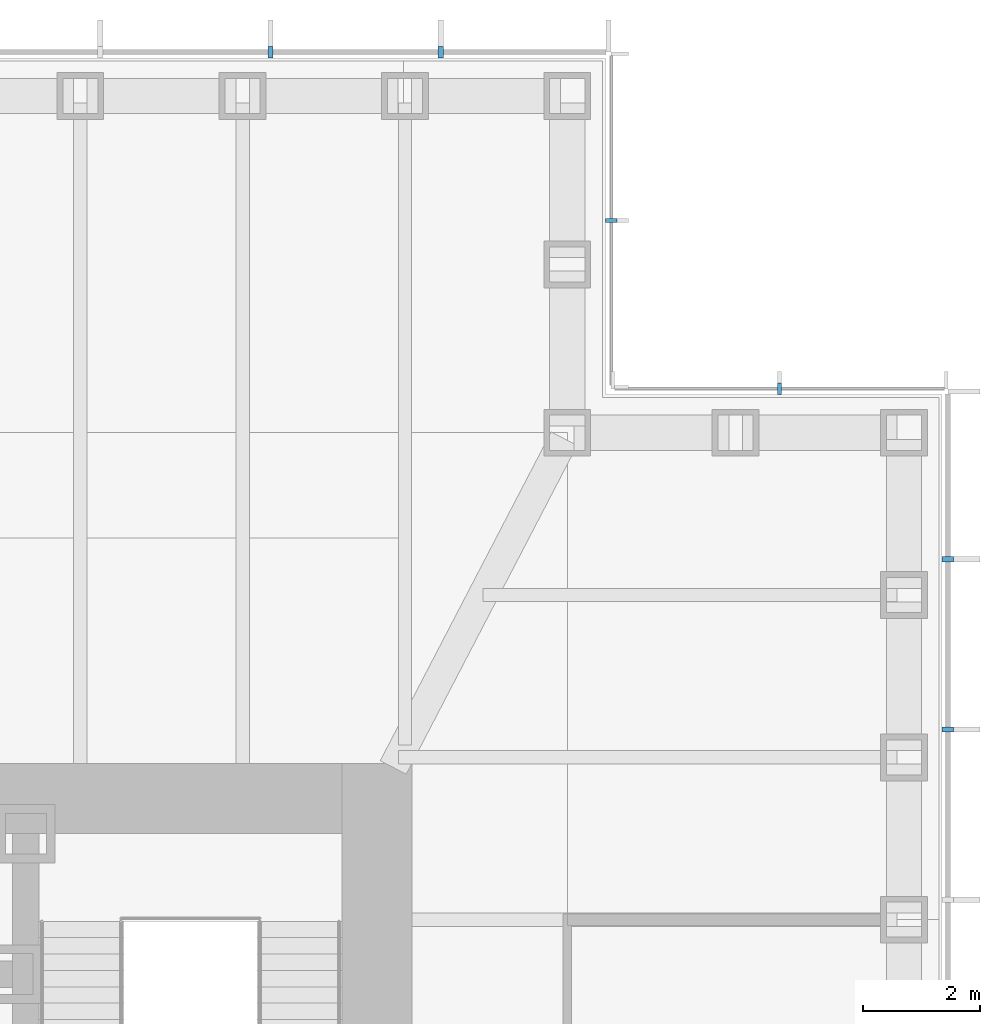
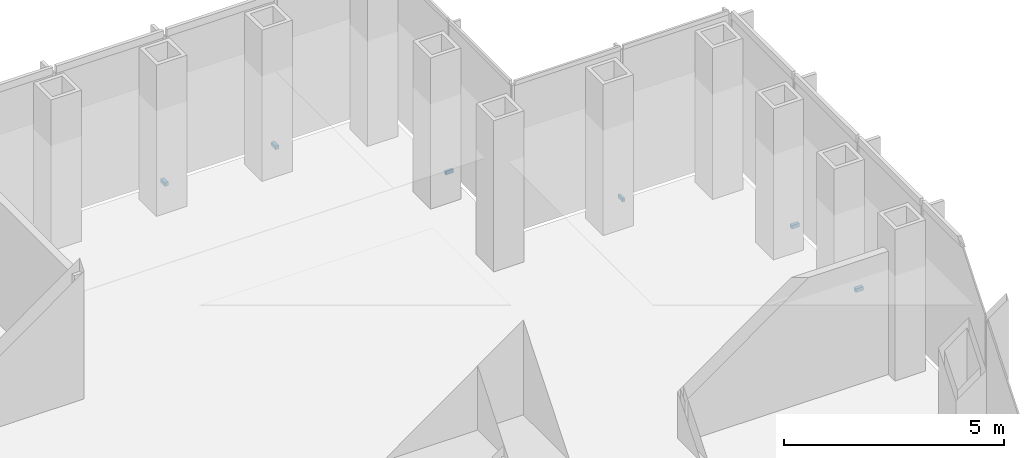
# One storey, part 15 of 16: 6 discrete accessories.
"""IFC4 building model written with IfcOpenShell, lengths in metres."""

import ifcopenshell
import ifcopenshell.guid

model = None  # the IFC model being written
_history = None  # IfcOwnerHistory: only IFC2X3 demands one
_inside = {}  # id of a spatial element -> (the spatial element, [elements in it])
_under = {}  # id of a project, library or spatial element -> (it, [spatial elements below it])
_declared = {}  # id of a project -> (the project, [libraries it declares])
_typed = {}  # id of a type object -> (the type object, [elements of that type])
_made_of = {}  # id of a material, layer set ... -> (it, [elements and type objects made of it])


def new_model(schema):
    """Start an empty IFC model of exactly this schema.

    Asked for "IFC4X3", IfcOpenShell would pick the latest addendum, in which some entities
    have other attributes; the version numbers below select the first issue.
    IFC2X3 requires an IfcOwnerHistory on every rooted entity: one is made here for all.
    """
    global model, _history
    if schema == "IFC4X3":
        model = ifcopenshell.file(schema_version=(4, 3, 0, 0))
    else:
        model = ifcopenshell.file(schema=schema)
    _inside.clear()
    _under.clear()
    _declared.clear()
    _typed.clear()
    _made_of.clear()
    _history = None
    if model.schema == "IFC2X3":
        org = make("IfcOrganization", Name="unknown")
        user = make(
            "IfcPersonAndOrganization",
            ThePerson=make("IfcPerson", FamilyName="unknown"),
            TheOrganization=org,
        )
        app = make(
            "IfcApplication",
            ApplicationDeveloper=org,
            Version="unknown",
            ApplicationFullName="unknown",
            ApplicationIdentifier="unknown",
        )
        _history = make(
            "IfcOwnerHistory",
            OwningUser=user,
            OwningApplication=app,
            ChangeAction="ADDED",
            CreationDate=0,
        )
    return model


def make(cls, **values):
    """One entity of the class cls with the attributes given. An attribute that is None is left unset."""
    return model.create_entity(
        cls, **{name: value for name, value in values.items() if value is not None}
    )


def rooted(cls, **values):
    """An entity with a GlobalId (a new one), such as an element, a storey or a relation."""
    return make(cls, GlobalId=ifcopenshell.guid.new(), OwnerHistory=_history, **values)


def si_unit(unit_type, name, prefix=None):
    """IfcSIUnit, for example si_unit("LENGTHUNIT", "METRE", prefix="MILLI")."""
    return make("IfcSIUnit", UnitType=unit_type, Prefix=prefix, Name=name)


def assignment(units):
    """IfcUnitAssignment: the units of a project."""
    return None if units is None else make("IfcUnitAssignment", Units=units)


def point(xyz):
    """IfcCartesianPoint."""
    return None if xyz is None else make("IfcCartesianPoint", Coordinates=xyz)


def direction(xyz):
    """IfcDirection."""
    return None if xyz is None else make("IfcDirection", DirectionRatios=xyz)


def frame(location, z_axis=None, x_axis=None):
    """IfcAxis2Placement3D, a coordinate frame: its origin and axes. An axis left out is left unset."""
    return make(
        "IfcAxis2Placement3D",
        Location=point(location),
        Axis=direction(z_axis),
        RefDirection=direction(x_axis),
    )


def frame_2d(location, x_axis=None):
    """IfcAxis2Placement2D, a coordinate frame in the plane: its origin and x axis."""
    return make(
        "IfcAxis2Placement2D", Location=point(location), RefDirection=direction(x_axis)
    )


def origin():
    """The frame at (0, 0, 0) with its axes left unset."""
    return frame((0.0, 0.0, 0.0))


def origin_2d():
    """The frame at (0, 0) in the plane with its x axis left unset."""
    return frame_2d((0.0, 0.0))


def place(relative_to, where):
    """IfcLocalPlacement: puts the frame where relative to a parent placement (None: the world)."""
    return make(
        "IfcLocalPlacement", PlacementRelTo=relative_to, RelativePlacement=where
    )


def context(
    kind, dimensions, precision=None, world=None, true_north=None, identifier=None
):
    """IfcGeometricRepresentationContext, for example the 3D "Model" context."""
    return make(
        "IfcGeometricRepresentationContext",
        ContextIdentifier=identifier,
        ContextType=kind,
        CoordinateSpaceDimension=dimensions,
        Precision=precision,
        WorldCoordinateSystem=world,
        TrueNorth=true_north,
    )


def subcontext(parent, identifier, kind, view, scale=None):
    """IfcGeometricRepresentationSubContext, for example "Body" below "Model"."""
    return make(
        "IfcGeometricRepresentationSubContext",
        ContextIdentifier=identifier,
        ContextType=kind,
        ParentContext=parent,
        TargetScale=scale,
        TargetView=view,
    )


def project(units=None, contexts=None):
    """IfcProject with its units and contexts."""
    return rooted(
        "IfcProject",
        Name="project",
        RepresentationContexts=contexts,
        UnitsInContext=assignment(units),
    )


def spatial(cls, under=None, at=None, **own):
    """A site, building, storey or space (cls), placed at a placement, below another one or the project."""
    s = rooted(cls, ObjectPlacement=at, **own)
    if under is not None:
        _under.setdefault(under.id(), (under, []))[1].append(s)
    return s


def profile(cls, at=None, kind="AREA", **sizes):
    """A parametric profile (cls). Its sizes go by their IFC names, for example OverallWidth=200.0."""
    return make(cls, ProfileType=kind, Position=at, **sizes)


def rectangle(**sizes):
    """IfcRectangleProfileDef."""
    return profile("IfcRectangleProfileDef", **sizes)


def extrude(swept, where, along, depth):
    """IfcExtrudedAreaSolid: the profile swept, set in the frame where, extruded along a direction by depth."""
    return make(
        "IfcExtrudedAreaSolid",
        SweptArea=swept,
        Position=where,
        ExtrudedDirection=direction(along),
        Depth=depth,
    )


def shape(context_of_items, identifier, shape_type, items):
    """IfcShapeRepresentation: the items that make up one representation, for example the "Body"."""
    return make(
        "IfcShapeRepresentation",
        ContextOfItems=context_of_items,
        RepresentationIdentifier=identifier,
        RepresentationType=shape_type,
        Items=items,
    )


def made_of(thing, what):
    """Note that an element or type object is made of a material, layer set ...; save() writes the relation."""
    if what is not None:
        _made_of.setdefault(what.id(), (what, []))[1].append(thing)
    return thing


def element(
    cls,
    number,
    at=None,
    inside=None,
    cuts=None,
    type_object=None,
    material=None,
    context=None,
    identifier="Body",
    shape_type=None,
    held_by="IfcProductDefinitionShape",
    body=None,
    shapes=None,
    **own,
):
    """One element of the class cls, such as IfcWall. Its Tag is "e" and its number.

    at: its placement. inside: the storey or other place that contains it. cuts: it is an
    opening in that element (IfcRelVoidsElement). A single representation is given by context,
    identifier, shape_type and body (its items); several are given by shapes. held_by: the class
    of the entity that holds the representations. save() writes the other relations.
    """
    e = rooted(cls, Tag="e%d" % number, ObjectPlacement=at, **own)
    if body is not None:
        shapes = [shape(context, identifier, shape_type, body)]
    if shapes is not None:
        e.Representation = make(held_by, Representations=shapes)
    if inside is not None:
        _inside.setdefault(inside.id(), (inside, []))[1].append(e)
    if cuts is not None:
        rooted(
            "IfcRelVoidsElement", RelatingBuildingElement=cuts, RelatedOpeningElement=e
        )
    if type_object is not None:
        _typed.setdefault(type_object.id(), (type_object, []))[1].append(e)
    return made_of(e, material)


def aggregate(whole, parts):
    """IfcRelAggregates: a whole, such as a stair, and the parts it consists of."""
    return rooted("IfcRelAggregates", RelatingObject=whole, RelatedObjects=parts)


def save(model, path):
    """Write the relations noted so far, then the file.

    IfcRelAggregates (storeys below a building ...), IfcRelContainedInSpatialStructure (elements
    in a storey), IfcRelDefinesByType, IfcRelAssociatesMaterial and IfcRelDeclares: one each for
    every whole, place, type object, material and project.
    """
    for whole, parts in _under.values():
        aggregate(whole, parts)
    for where, things in _inside.values():
        rooted(
            "IfcRelContainedInSpatialStructure",
            RelatedElements=things,
            RelatingStructure=where,
        )
    for kind, things in _typed.values():
        rooted("IfcRelDefinesByType", RelatedObjects=things, RelatingType=kind)
    for what, things in _made_of.values():
        rooted("IfcRelAssociatesMaterial", RelatedObjects=things, RelatingMaterial=what)
    for by, libraries in _declared.values():
        rooted("IfcRelDeclares", RelatingContext=by, RelatedDefinitions=libraries)
    model.write(path)


model = new_model("IFC4")

# Units and contexts
model_context = context("Model", 3, precision=1e-05, world=origin(), true_north=direction((0.0, 1.0)))
body_context = subcontext(model_context, "Body", "Model", "MODEL_VIEW")
ifc_project = project(units=[si_unit("LENGTHUNIT", "METRE"), si_unit("AREAUNIT", "SQUARE_METRE"), si_unit("VOLUMEUNIT", "CUBIC_METRE"), si_unit("PLANEANGLEUNIT", "RADIAN"), si_unit("MASSUNIT", "GRAM", prefix="KILO")], contexts=[model_context])

# Site, building, storey
site_placement = place(None, origin())
site = spatial("IfcSite", under=ifc_project, at=site_placement, CompositionType="ELEMENT")
building_placement = place(site_placement, origin())
building = spatial("IfcBuilding", under=site, at=building_placement, Name="Daluyong Arena Tower", CompositionType="ELEMENT")
storey_placement = place(building_placement, frame((0.0, 0.0, 271.300048828125)))
storey = spatial("IfcBuildingStorey", under=building, at=storey_placement, Name="L61", CompositionType="ELEMENT", Elevation=271.300048828125)

# Discrete accessories
for number, where, z_axis, x_axis, name in (
    (1, (77.75, 90.181884765625, -0.10009765625), (0.0, 0.0, 1.0), (0.0, 1.0, 0.0), "curtain wall L61 E anchor bracket 10"),
    (2, (77.75, 93.0908203125, -0.10009765625), (0.0, 0.0, 1.0), (0.0, 1.0, 0.0), "curtain wall L61 E anchor bracket 11"),
):
    element("IfcDiscreteAccessory", number, at=place(storey_placement, frame(where, z_axis=z_axis, x_axis=x_axis)), inside=storey, Name=name, PredefinedType="BRACKET", context=body_context, shape_type="SweptSolid", body=[
        extrude(rectangle(XDim=0.090087890625, YDim=0.199951171875, at=origin_2d()), origin(), (0.0, 0.0, 1.0), 0.10009765625),
    ])
for number, where, z_axis, x_axis, name in (
    (3, (74.875, 96.0, -0.10009765625), (0.0, 0.0, 1.0), (-1.0, 0.0, 0.0), "curtain wall L61 NE-N anchor bracket 2"),
    (4, (72.0, 98.875, -0.10009765625), (0.0, 0.0, 1.0), (0.0, 1.0, 0.0), "curtain wall L61 NE-E anchor bracket 2"),
):
    element("IfcDiscreteAccessory", number, at=place(storey_placement, frame(where, z_axis=z_axis, x_axis=x_axis)), inside=storey, Name=name, PredefinedType="BRACKET", context=body_context, shape_type="SweptSolid", body=[
        extrude(rectangle(XDim=0.06005859375, YDim=0.199951171875, at=origin_2d()), origin(), (0.0, 0.0, 1.0), 0.10009765625),
    ])
for number, where, z_axis, x_axis, name in (
    (5, (69.0908203125, 101.75, -0.10009765625), (0.0, 0.0, 1.0), (-1.0, 0.0, 0.0), "curtain wall L61 N anchor bracket 2"),
    (6, (66.181884765625, 101.75, -0.10009765625), (0.0, 0.0, 1.0), (-1.0, 0.0, 0.0), "curtain wall L61 N anchor bracket 3"),
):
    element("IfcDiscreteAccessory", number, at=place(storey_placement, frame(where, z_axis=z_axis, x_axis=x_axis)), inside=storey, Name=name, PredefinedType="BRACKET", context=body_context, shape_type="SweptSolid", body=[
        extrude(rectangle(XDim=0.090087890625, YDim=0.199951171875, at=origin_2d()), origin(), (0.0, 0.0, 1.0), 0.10009765625),
    ])

save(model, "model.ifc")
